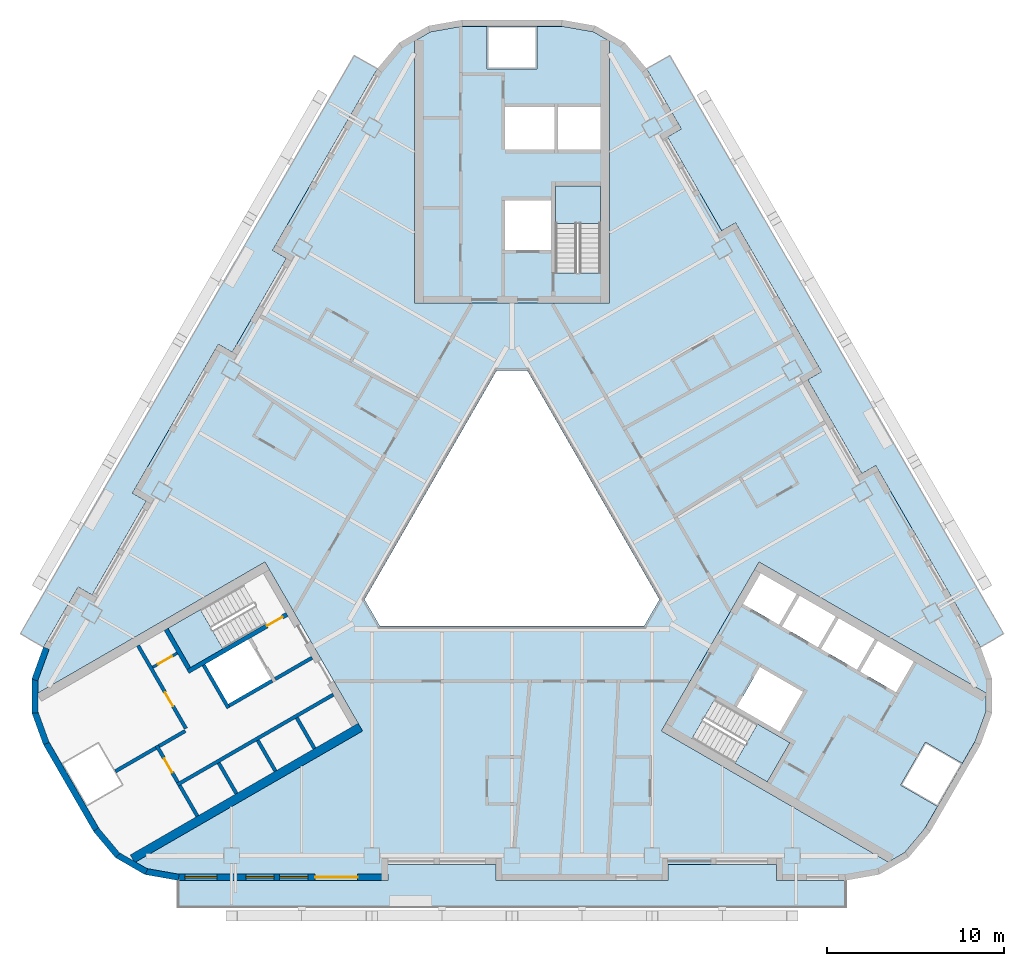
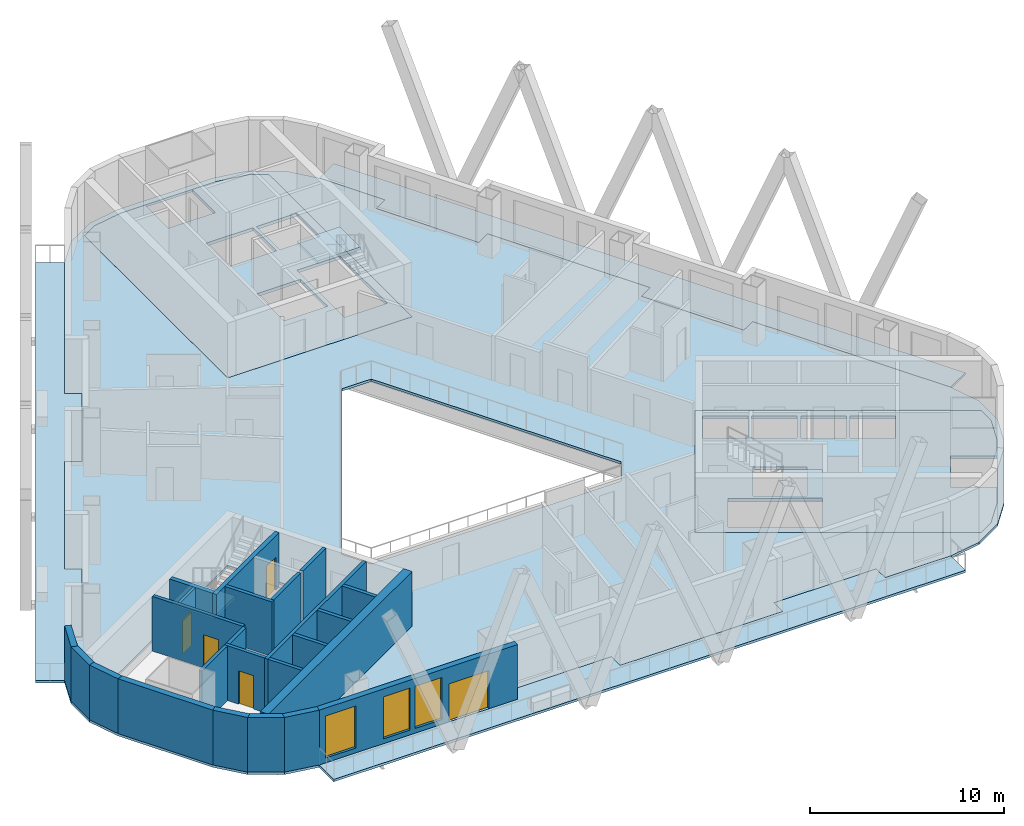
# One storey, part 2 of 13: 24 walls, 9 slabs, 5 doors, 3 windows, 8 openings, 3 elements without a shape of their own.
"""IFC4 building model written with IfcOpenShell, lengths in metres."""

from ifc_helpers import new_model, si_unit, direction, frame, frame_2d, origin, place, context, subcontext, project, spatial, polyline, rectangle, outline, extrude, material, layer, layer_set, type_object, element, fill, aggregate, save


model = new_model("IFC4")

# Units and contexts
model_context = context("Model", 3, precision=1e-05, world=origin(), true_north=direction((0.0, 1.0)))
body_context = subcontext(model_context, "Body", "Model", "MODEL_VIEW")
ifc_project = project(units=[si_unit("LENGTHUNIT", "METRE"), si_unit("AREAUNIT", "SQUARE_METRE"), si_unit("VOLUMEUNIT", "CUBIC_METRE"), si_unit("PLANEANGLEUNIT", "RADIAN"), si_unit("MASSUNIT", "GRAM", prefix="KILO")], contexts=[model_context])

# Site, building, storey
site_placement = place(None, origin())
site = spatial("IfcSite", under=ifc_project, at=site_placement, CompositionType="ELEMENT")
building_placement = place(site_placement, origin())
building = spatial("IfcBuilding", under=site, at=building_placement, Name="Apuvela Tower Hotel", CompositionType="ELEMENT")
storey_placement = place(building_placement, frame((0.0, 0.0, 127.89990234375)))
storey = spatial("IfcBuildingStorey", under=building, at=storey_placement, Name="L30", CompositionType="ELEMENT", Elevation=127.89990234375)

# Slabs
ifc_material_1 = material(Name="Concrete C50/60", Category="concrete")
ifc_layer_1 = layer(ifc_material_1, 0.199951171875)
ifc_layer_set_1 = layer_set([ifc_layer_1], Name="COR-FLOOR-200")
slab_type_1 = type_object("IfcSlabType", Name="COR-FLOOR-200", PredefinedType="FLOOR", material=ifc_layer_set_1)
slab_1_placement = place(storey_placement, frame((0.0, 0.0, -0.199951171875)))
element("IfcSlab", 1, at=slab_1_placement, inside=storey, type_object=slab_type_1, Name="Core floor N", PredefinedType="FLOOR", context=body_context, shape_type="SweptSolid", body=[
    extrude(outline(polyline([(5.5, 27.668212890625), (4.588623046875, 28.1943359375), (2.85498046875, 28.5), (1.39990234375, 28.5), (1.39990234375, 26.10009765625), (-1.39990234375, 26.10009765625), (-1.39990234375, 28.5), (-2.85498046875, 28.5), (-4.588623046875, 28.1943359375), (-5.5, 27.668212890625), (-5.5, 12.89990234375), (5.5, 12.89990234375), (5.5, 27.668212890625)]), holes=[polyline([(5.0, 14.60595703125), (2.449951171875, 14.60595703125), (2.449951171875, 19.5), (5.0, 19.5), (5.0, 14.60595703125)]), polyline([(2.199951171875, 15.89990234375), (-0.39990234375, 15.89990234375), (-0.39990234375, 18.699951171875), (2.199951171875, 18.699951171875), (2.199951171875, 15.89990234375)]), polyline([(5.0, 21.550048828125), (2.60009765625, 21.550048828125), (2.60009765625, 23.949951171875), (5.0, 23.949951171875), (5.0, 21.550048828125)]), polyline([(2.39990234375, 21.550048828125), (-0.39990234375, 21.550048828125), (-0.39990234375, 23.949951171875), (2.39990234375, 23.949951171875), (2.39990234375, 21.550048828125)])]), origin(), (0.0, 0.0, 1.0), 0.199951171875),
])
slab_2_placement = place(storey_placement, frame((0.0, 0.0, -0.199951171875)))
element("IfcSlab", 2, at=slab_2_placement, inside=storey, type_object=slab_type_1, Name="Core floor SE", PredefinedType="FLOOR", context=body_context, shape_type="SweptSolid", body=[
    extrude(outline(polyline([(21.211181640625, -18.59716796875), (22.122802734375, -18.071044921875), (23.254150390625, -16.72265625), (23.981689453125, -15.46240234375), (21.9033203125, -14.262451171875), (23.30322265625, -11.837646484375), (25.381591796875, -13.03759765625), (26.109375, -11.77734375), (26.711181640625, -10.123291015625), (26.711181640625, -9.07080078125), (13.921630859375, -1.68701171875), (8.421630859375, -11.213134765625), (21.211181640625, -18.59716796875)]), holes=[polyline([(13.01806640625, -4.052001953125), (14.01806640625, -2.31982421875), (16.044677734375, -3.489990234375), (15.044677734375, -5.221923828125), (13.01806640625, -4.052001953125)]), polyline([(17.244384765625, -6.491943359375), (15.2177734375, -5.322021484375), (16.2177734375, -3.58984375), (18.244384765625, -4.760009765625), (17.244384765625, -6.491943359375)]), polyline([(14.387451171875, -14.080078125), (10.149169921875, -11.633056640625), (11.42431640625, -9.4248046875), (15.66259765625, -11.871826171875), (14.387451171875, -14.080078125)]), polyline([(12.669921875, -9.855224609375), (13.9697265625, -7.603515625), (16.394775390625, -9.003662109375), (15.0947265625, -11.25537109375), (12.669921875, -9.855224609375)]), polyline([(19.444091796875, -7.761962890625), (17.41748046875, -6.591796875), (18.41748046875, -4.85986328125), (20.444091796875, -6.02978515625), (19.444091796875, -7.761962890625)]), polyline([(21.643798828125, -9.031982421875), (19.6171875, -7.86181640625), (20.6171875, -6.1298828125), (22.643798828125, -7.2998046875), (21.643798828125, -9.031982421875)])]), origin(), (0.0, 0.0, 1.0), 0.199951171875),
])

# Stair, slab
stair_type = type_object("IfcStairType", Name="COR-STAIR-22R", PredefinedType="HALF_TURN_STAIR", material=ifc_material_1)
stair_1_placement = place(storey_placement, origin())
stair_1 = element("IfcStair", 3, at=stair_1_placement, inside=storey, type_object=stair_type, Name="L30 Exit stair ST1", PredefinedType="HALF_TURN_STAIR")
ifc_layer_2 = layer(ifc_material_1, 0.199951171875)
ifc_layer_set_2 = layer_set([ifc_layer_2], Name="COR-LANDING-200")
slab_type_2 = type_object("IfcSlabType", Name="COR-LANDING-200", PredefinedType="LANDING", material=ifc_layer_set_2)
slab_3_placement = place(storey_placement, frame((0.0, 0.0, 1.650146484375)))
slab_3 = element("IfcSlab", 4, at=slab_3_placement, type_object=slab_type_2, Name="ST1 landing 1", PredefinedType="LANDING", context=body_context, shape_type="SweptSolid", body=[
    extrude(outline(polyline([(5.0, 17.39404296875), (5.0, 19.5), (2.449951171875, 19.5), (2.449951171875, 17.39404296875), (5.0, 17.39404296875)])), origin(), (0.0, 0.0, 1.0), 0.199951171875),
])
aggregate(stair_1, [slab_3])

stair_2_placement = place(storey_placement, origin())
stair_2 = element("IfcStair", 5, at=stair_2_placement, inside=storey, type_object=stair_type, Name="L30 Exit stair ST2", PredefinedType="HALF_TURN_STAIR")
slab_4_placement = place(storey_placement, frame((0.0, 0.0, 1.650146484375)))
slab_4 = element("IfcSlab", 6, at=slab_4_placement, type_object=slab_type_2, Name="ST2 landing 1", PredefinedType="LANDING", context=body_context, shape_type="SweptSolid", body=[
    extrude(outline(polyline([(-17.563720703125, -4.366943359375), (-19.387451171875, -5.419921875), (-18.112548828125, -7.628173828125), (-16.28857421875, -6.5751953125), (-17.563720703125, -4.366943359375)])), origin(), (0.0, 0.0, 1.0), 0.199951171875),
])
aggregate(stair_2, [slab_4])

stair_3_placement = place(storey_placement, origin())
stair_3 = element("IfcStair", 7, at=stair_3_placement, inside=storey, type_object=stair_type, Name="L30 Exit stair ST3", PredefinedType="HALF_TURN_STAIR")
slab_5_placement = place(storey_placement, frame((0.0, 0.0, 1.650146484375)))
slab_5 = element("IfcSlab", 8, at=slab_5_placement, type_object=slab_type_2, Name="ST3 landing 1", PredefinedType="LANDING", context=body_context, shape_type="SweptSolid", body=[
    extrude(outline(polyline([(12.563720703125, -13.027099609375), (14.387451171875, -14.080078125), (15.66259765625, -11.871826171875), (13.838623046875, -10.81884765625), (12.563720703125, -13.027099609375)])), origin(), (0.0, 0.0, 1.0), 0.199951171875),
])
aggregate(stair_3, [slab_5])

# Slabs
ifc_material_2 = material(Name="Concrete C40/50, fair-faced", Category="concrete")
ifc_layer_3 = layer(ifc_material_2, 0.14990234375)
ifc_layer_set_3 = layer_set([ifc_layer_3], Name="ENV-BALCONY-150")
slab_type_3 = type_object("IfcSlabType", Name="ENV-BALCONY-150", PredefinedType="FLOOR", material=ifc_layer_set_3)
slab_6_placement = place(storey_placement, frame((0.0, 0.0, -0.14990234375)))
element("IfcSlab", 9, at=slab_6_placement, inside=storey, type_object=slab_type_3, Name="Balcony slab S L30", PredefinedType="FLOOR", context=body_context, shape_type="SweptSolid", body=[
    extrude(outline(polyline([(18.82080078125, -21.135009765625), (-18.82080078125, -21.135009765625), (-18.82080078125, -19.625), (-7.0048828125, -19.625), (-7.0048828125, -18.72509765625), (-0.89501953125, -18.72509765625), (-0.89501953125, -19.625), (8.794921875, -19.625), (8.794921875, -18.72509765625), (14.905029296875, -18.72509765625), (14.905029296875, -19.625), (18.82080078125, -19.625), (18.82080078125, -21.135009765625)])), origin(), (0.0, 0.0, 1.0), 0.14990234375),
])
slab_7_placement = place(storey_placement, frame((0.0, 0.0, -0.14990234375)))
element("IfcSlab", 10, at=slab_7_placement, inside=storey, type_object=slab_type_3, Name="Balcony slab NE L30", PredefinedType="FLOOR", context=body_context, shape_type="SweptSolid", body=[
    extrude(outline(polyline([(17.443359375, 9.037353515625), (12.598388671875, 17.42919921875), (11.81884765625, 16.979248046875), (8.763916015625, 22.2705078125), (9.543212890625, 22.720703125), (7.585205078125, 26.11181640625), (8.89306640625, 26.86669921875), (27.7138671875, -5.731689453125), (26.40625, -6.48681640625), (20.498291015625, 3.74609375), (19.71875, 3.2958984375), (16.663818359375, 8.58740234375), (17.443359375, 9.037353515625)])), origin(), (0.0, 0.0, 1.0), 0.14990234375),
])
slab_8_placement = place(storey_placement, frame((0.0, 0.0, -0.14990234375)))
element("IfcSlab", 11, at=slab_8_placement, inside=storey, type_object=slab_type_3, Name="Balcony slab NW L30", PredefinedType="FLOOR", context=body_context, shape_type="SweptSolid", body=[
    extrude(outline(polyline([(-27.7138671875, -5.731689453125), (-8.89306640625, 26.86669921875), (-7.585205078125, 26.11181640625), (-13.4931640625, 15.87890625), (-12.7138671875, 15.428955078125), (-15.768798828125, 10.1376953125), (-16.548095703125, 10.587646484375), (-21.393310546875, 2.19580078125), (-20.61376953125, 1.745849609375), (-23.668701171875, -3.545654296875), (-24.4482421875, -3.095703125), (-26.40625, -6.48681640625), (-27.7138671875, -5.731689453125)])), origin(), (0.0, 0.0, 1.0), 0.14990234375),
])
ifc_material_3 = material(Name="Concrete C35/45", Category="concrete")
ifc_layer_4 = layer(ifc_material_3, 0.14990234375)
ifc_layer_set_4 = layer_set([ifc_layer_4], Name="STR-SLAB 150 floor Concrete C35/45")
slab_type_4 = type_object("IfcSlabType", Name="STR-SLAB 150 floor Concrete C35/45", PredefinedType="FLOOR", material=ifc_layer_set_4)
slab_9_placement = place(storey_placement, frame((0.0, 0.0, -0.14990234375)))
element("IfcSlab", 12, at=slab_9_placement, inside=storey, type_object=slab_type_4, Name="Floor slab S4 L30", PredefinedType="FLOOR", context=body_context, shape_type="SweptSolid", body=[
    extrude(outline(polyline([(-6.3642578125, 27.5732421875), (-4.710205078125, 28.5283203125), (-2.8291015625, 28.860107421875), (2.8291015625, 28.860107421875), (4.710205078125, 28.5283203125), (6.3642578125, 27.5732421875), (7.59228515625, 26.110107421875), (9.550048828125, 22.71875), (8.770751953125, 22.268798828125), (11.82080078125, 16.986083984375), (12.60009765625, 17.43603515625), (17.4501953125, 9.035400390625), (16.670654296875, 8.58544921875), (19.720703125, 3.302734375), (20.5, 3.752685546875), (26.407958984375, -6.47998046875), (27.061279296875, -8.27490234375), (27.061279296875, -10.18505859375), (26.407958984375, -11.97998046875), (23.5791015625, -16.8798828125), (22.351318359375, -18.34326171875), (20.697021484375, -19.29833984375), (18.81591796875, -19.6298828125), (14.89990234375, -19.6298828125), (14.89990234375, -18.72998046875), (8.800048828125, -18.72998046875), (8.800048828125, -19.6298828125), (-0.89990234375, -19.6298828125), (-0.89990234375, -18.72998046875), (-7.0, -18.72998046875), (-7.0, -19.6298828125), (-18.81591796875, -19.6298828125), (-20.697021484375, -19.29833984375), (-22.351318359375, -18.34326171875), (-23.5791015625, -16.8798828125), (-26.407958984375, -11.97998046875), (-27.061279296875, -10.18505859375), (-27.061279296875, -8.27490234375), (-26.407958984375, -6.47998046875), (-24.4501953125, -3.088623046875), (-23.670654296875, -3.538818359375), (-20.62060546875, 1.743896484375), (-21.400146484375, 2.194091796875), (-16.550048828125, 10.594482421875), (-15.7705078125, 10.14453125), (-12.720703125, 15.42724609375), (-13.5, 15.877197265625), (-7.59228515625, 26.110107421875), (-6.3642578125, 27.5732421875)]), holes=[polyline([(0.865966796875, 9.10009765625), (-0.865966796875, 9.10009765625), (-8.313720703125, -3.800048828125), (-7.44775390625, -5.300048828125), (7.44775390625, -5.300048828125), (8.313720703125, -3.800048828125), (0.865966796875, 9.10009765625)]), polyline([(-5.5, 12.89990234375), (-5.5, 27.668212890625), (-4.588623046875, 28.1943359375), (-2.85498046875, 28.5), (2.85498046875, 28.5), (4.588623046875, 28.1943359375), (5.5, 27.668212890625), (5.5, 12.89990234375), (-5.5, 12.89990234375)]), polyline([(-8.421630859375, -11.213134765625), (-21.211181640625, -18.59716796875), (-22.122802734375, -18.071044921875), (-23.254150390625, -16.72265625), (-26.109375, -11.77734375), (-26.711181640625, -10.123291015625), (-26.711181640625, -9.07080078125), (-13.921630859375, -1.68701171875), (-8.421630859375, -11.213134765625)]), polyline([(13.921630859375, -1.68701171875), (26.711181640625, -9.07080078125), (26.711181640625, -10.123291015625), (26.109375, -11.77734375), (23.254150390625, -16.72265625), (22.122802734375, -18.071044921875), (21.211181640625, -18.59716796875), (8.421630859375, -11.213134765625), (13.921630859375, -1.68701171875)])]), origin(), (0.0, 0.0, 1.0), 0.14990234375),
])

# Wall
ifc_layer_5 = layer(ifc_material_1, 0.5)
ifc_layer_set_5 = layer_set([ifc_layer_5], Name="COR-WALL-CORE-500")
wall_type_1 = type_object("IfcWallType", Name="COR-WALL-CORE-500", PredefinedType="SHEAR", material=ifc_layer_set_5)
wall_1_placement = place(storey_placement, frame((-8.546630859375, -10.99658203125, 0.0), z_axis=(0.0, 0.0, 1.0), x_axis=(-0.866025009528, -0.500000682871, 0.0)))
element("IfcWall", 13, at=wall_1_placement, inside=storey, type_object=wall_type_1, Name="Core wall SW", PredefinedType="SHEAR", context=body_context, shape_type="SweptSolid", body=[
    extrude(rectangle(XDim=14.8369140625, YDim=0.5, at=frame_2d((7.41845703125, 0.0))), origin(), (0.0, 0.0, 1.0), 3.4501953125),
])

# Wall, opening, door
ifc_material_4 = material(Name="Blockwork 150 mm plastered", Category="masonry")
ifc_layer_6 = layer(ifc_material_4, 0.14990234375)
ifc_layer_set_6 = layer_set([ifc_layer_6], Name="COR-WALL-PART-150")
wall_type_2 = type_object("IfcWallType", Name="COR-WALL-PART-150", PredefinedType="PARTITIONING", material=ifc_layer_set_6)
wall_2_placement = place(storey_placement, frame((-18.866455078125, -6.822265625, 0.0), z_axis=(0.0, 0.0, 1.0), x_axis=(-0.866028054938, -0.499995408039, 0.0)))
wall_2 = element("IfcWall", 14, at=wall_2_placement, inside=storey, type_object=wall_type_2, Name="Partition SW", PredefinedType="PARTITIONING", context=body_context, shape_type="SweptSolid", body=[
    extrude(rectangle(XDim=1.60009765625, YDim=0.14990234375, at=frame_2d((0.800048828125, 0.0))), origin(), (0.0, 0.0, 1.0), 3.4501953125),
])
opening_1_placement = place(wall_2_placement, frame((0.35009765625, 0.0, 0.0)))
opening_1 = element("IfcOpeningElement", 15, at=opening_1_placement, cuts=wall_2, Name="Opening W-RD", PredefinedType="OPENING", context=body_context, shape_type="SweptSolid", body=[
    extrude(rectangle(XDim=0.89990234375, YDim=2.10009765625, at=frame_2d((0.449951171875, 1.050048828125))), frame((0.0, 0.0849609375, 0.0), z_axis=(0.0, -1.0, 0.0), x_axis=(1.0, 0.0, 0.0)), (0.0, 0.0, 1.0), 0.169921875),
])
ifc_material_5 = material(Name="Steel access door, powder coated", Category="steel")
door_type_1 = type_object("IfcDoorType", Name="COR-RD-900", OperationType="NOTDEFINED", PredefinedType="DOOR", material=ifc_material_5)
door_1_placement = place(opening_1_placement, frame((0.89990234375, 0.0, 0.0), z_axis=(0.0, 0.0, 1.0), x_axis=(-1.0, 0.0, 0.0)))
door_1 = element("IfcDoor", 16, at=door_1_placement, inside=storey, type_object=door_type_1, Name="Riser door W-RD", OperationType="SINGLE_SWING_RIGHT", OverallHeight=2.10009765625, OverallWidth=0.89990234375, PredefinedType="DOOR", context=body_context, shape_type="SweptSolid", body=[
    extrude(rectangle(XDim=0.89990234375, YDim=2.10009765625, at=frame_2d((0.449951171875, 1.050048828125))), frame((0.0, 0.02490234375, 0.0), z_axis=(0.0, -1.0, 0.0), x_axis=(1.0, 0.0, 0.0)), (0.0, 0.0, 1.0), 0.050048828125),
])
fill(opening_1, door_1)

ifc_material_6 = material(Name="Blockwork 200 mm plastered", Category="masonry")
ifc_layer_7 = layer(ifc_material_6, 0.199951171875)
ifc_layer_set_7 = layer_set([ifc_layer_7], Name="COR-WALL-PART-200")
wall_type_3 = type_object("IfcWallType", Name="COR-WALL-PART-200", PredefinedType="PARTITIONING", material=ifc_layer_set_7)
wall_3_placement = place(storey_placement, frame((-21.076171875, -6.39501953125, 0.0), z_axis=(0.0, 0.0, 1.0), x_axis=(0.50001468107, -0.866016927499, 0.0)))
wall_3 = element("IfcWall", 17, at=wall_3_placement, inside=storey, type_object=wall_type_3, Name="Partition SW", PredefinedType="PARTITIONING", context=body_context, shape_type="SweptSolid", body=[
    extrude(rectangle(XDim=5.399658203125, YDim=0.199951171875, at=frame_2d((2.69970703125, 0.0))), origin(), (0.0, 0.0, 1.0), 3.4501953125),
])
opening_2_placement = place(wall_3_placement, frame((3.050048828125, 0.0, 0.0)))
opening_2 = element("IfcOpeningElement", 18, at=opening_2_placement, cuts=wall_3, Name="Opening W-RS1", PredefinedType="OPENING", context=body_context, shape_type="SweptSolid", body=[
    extrude(rectangle(XDim=0.89990234375, YDim=2.10009765625, at=frame_2d((0.449951171875, 1.050048828125))), frame((0.0, 0.10986328125, 0.0), z_axis=(0.0, -1.0, 0.0), x_axis=(1.0, 0.0, 0.0)), (0.0, 0.0, 1.0), 0.219970703125),
])
ifc_material_7 = material(Name="Steel fire door, powder coated", Category="steel")
door_type_2 = type_object("IfcDoorType", Name="COR-DR-900", OperationType="NOTDEFINED", PredefinedType="DOOR", material=ifc_material_7)
door_2_placement = place(opening_2_placement, frame((0.89990234375, 0.0, 0.0), z_axis=(0.0, 0.0, 1.0), x_axis=(-1.0, 0.0, 0.0)))
door_2 = element("IfcDoor", 19, at=door_2_placement, inside=storey, type_object=door_type_2, Name="Store door W-RS1", OperationType="SINGLE_SWING_LEFT", OverallHeight=2.10009765625, OverallWidth=0.89990234375, PredefinedType="DOOR", context=body_context, shape_type="SweptSolid", body=[
    extrude(rectangle(XDim=0.89990234375, YDim=2.10009765625, at=frame_2d((0.449951171875, 1.050048828125))), frame((0.0, 0.02490234375, 0.0), z_axis=(0.0, -1.0, 0.0), x_axis=(1.0, 0.0, 0.0)), (0.0, 0.0, 1.0), 0.050048828125),
])
fill(opening_2, door_2)

# Walls
ifc_layer_8 = layer(ifc_material_1, 0.199951171875)
ifc_layer_set_8 = layer_set([ifc_layer_8], Name="COR-WALL-SHAFT-200")
wall_type_4 = type_object("IfcWallType", Name="COR-WALL-SHAFT-200", PredefinedType="SHEAR", material=ifc_layer_set_8)
wall_4_placement = place(storey_placement, frame((-17.38134765625, -7.49462890625, 0.0), z_axis=(0.0, 0.0, 1.0), x_axis=(0.500011755427, -0.866018616679, 0.0)))
element("IfcWall", 20, at=wall_4_placement, inside=storey, type_object=wall_type_4, Name="Shaft wall SW", PredefinedType="SHEAR", context=body_context, shape_type="SweptSolid", body=[
    extrude(rectangle(XDim=2.80029296875, YDim=0.199951171875, at=frame_2d((1.400146484375, 0.0))), origin(), (0.0, 0.0, 1.0), 3.4501953125),
])
wall_5_placement = place(storey_placement, frame((-13.519775390625, -8.383056640625, 0.0), z_axis=(0.0, 0.0, 1.0), x_axis=(-0.866034573852, -0.49998411664, 0.0)))
element("IfcWall", 21, at=wall_5_placement, inside=storey, type_object=wall_type_4, Name="Shaft wall SW", PredefinedType="SHEAR", context=body_context, shape_type="SweptSolid", body=[
    extrude(rectangle(XDim=2.7998046875, YDim=0.199951171875, at=frame_2d((1.39990234375, 0.0))), origin(), (0.0, 0.0, 1.0), 3.4501953125),
])
wall_6_placement = place(storey_placement, frame((-11.26806640625, -7.0830078125, 0.0), z_axis=(0.0, 0.0, 1.0), x_axis=(-0.866050077142, -0.499957262057, 0.0)))
element("IfcWall", 22, at=wall_6_placement, inside=storey, type_object=wall_type_4, Name="Shaft wall SW", PredefinedType="SHEAR", context=body_context, shape_type="SweptSolid", body=[
    extrude(rectangle(XDim=2.400146484375, YDim=0.199951171875, at=frame_2d((1.2001953125, 0.0))), origin(), (0.0, 0.0, 1.0), 3.4501953125),
])
wall_7_placement = place(storey_placement, frame((-10.068115234375, -9.16162109375, 0.0), z_axis=(0.0, 0.0, 1.0), x_axis=(-0.866032725843, -0.499987317609, 0.0)))
element("IfcWall", 23, at=wall_7_placement, inside=storey, type_object=wall_type_4, Name="Shaft wall SW", PredefinedType="SHEAR", context=body_context, shape_type="SweptSolid", body=[
    extrude(rectangle(XDim=10.159912109375, YDim=0.199951171875, at=frame_2d((5.080078125, 0.0))), origin(), (0.0, 0.0, 1.0), 3.4501953125),
])

# Wall, opening, door
wall_8_placement = place(storey_placement, frame((-20.030517578125, -12.0263671875, 0.0), z_axis=(0.0, 0.0, 1.0), x_axis=(0.500033551112, -0.866006032174, 0.0)))
wall_8 = element("IfcWall", 24, at=wall_8_placement, inside=storey, type_object=wall_type_4, Name="Shaft wall SW", PredefinedType="SHEAR", context=body_context, shape_type="SweptSolid", body=[
    extrude(rectangle(XDim=2.400146484375, YDim=0.199951171875, at=frame_2d((1.2001953125, 0.0))), origin(), (0.0, 0.0, 1.0), 3.4501953125),
])
opening_3_placement = place(wall_8_placement, frame((0.85009765625, 0.0, 0.0)))
opening_3 = element("IfcOpeningElement", 25, at=opening_3_placement, cuts=wall_8, Name="Opening W-REP", PredefinedType="OPENING", context=body_context, shape_type="SweptSolid", body=[
    extrude(rectangle(XDim=0.89990234375, YDim=2.10009765625, at=frame_2d((0.449951171875, 1.050048828125))), frame((0.0, 0.10986328125, 0.0), z_axis=(0.0, -1.0, 0.0), x_axis=(1.0, 0.0, 0.0)), (0.0, 0.0, 1.0), 0.219970703125),
])
door_3_placement = place(opening_3_placement, frame((0.89990234375, 0.0, 0.0), z_axis=(0.0, 0.0, 1.0), x_axis=(-1.0, 0.0, 0.0)))
door_3 = element("IfcDoor", 26, at=door_3_placement, inside=storey, type_object=door_type_2, Name="Store door W-REP", OperationType="SINGLE_SWING_LEFT", OverallHeight=2.10009765625, OverallWidth=0.89990234375, PredefinedType="DOOR", context=body_context, shape_type="SweptSolid", body=[
    extrude(rectangle(XDim=0.89990234375, YDim=2.10009765625, at=frame_2d((0.449951171875, 1.050048828125))), frame((0.0, 0.02490234375, 0.0), z_axis=(0.0, -1.0, 0.0), x_axis=(1.0, 0.0, 0.0)), (0.0, 0.0, 1.0), 0.050048828125),
])
fill(opening_3, door_3)

# Walls
wall_9_placement = place(storey_placement, frame((-18.412841796875, -11.2080078125, 0.0), z_axis=(0.0, 0.0, 1.0), x_axis=(-0.866038183914, -0.499977863513, 0.0)))
element("IfcWall", 27, at=wall_9_placement, inside=storey, type_object=wall_type_4, Name="Shaft wall SW", PredefinedType="SHEAR", context=body_context, shape_type="SweptSolid", body=[
    extrude(rectangle(XDim=1.7099609375, YDim=0.199951171875, at=frame_2d((0.85498046875, 0.0))), origin(), (0.0, 0.0, 1.0), 3.4501953125),
])
for number, where, z_axis, x_axis, name in (
    (28, (-12.131103515625, -10.468017578125, 0.0), (0.0, 0.0, 1.0), (0.499972520799, -0.866041268327, 0.0), "Shaft wall SW"),
    (29, (-14.330810546875, -11.738037109375, 0.0), (0.0, 0.0, 1.0), (0.499972520799, -0.866041268327, 0.0), "Shaft wall SW"),
    (30, (-16.530517578125, -13.008056640625, 0.0), (0.0, 0.0, 1.0), (0.50002537861, -0.866010750942, 0.0), "Shaft wall SW"),
    (31, (-18.73046875, -14.278076171875, 0.0), (0.0, 0.0, 1.0), (0.50002537861, -0.866010750942, 0.0), "Shaft wall SW"),
):
    element("IfcWall", number, at=place(storey_placement, frame(where, z_axis=z_axis, x_axis=x_axis)), inside=storey, type_object=wall_type_4, Name=name, PredefinedType="SHEAR", context=body_context, shape_type="SweptSolid", body=[
        extrude(rectangle(XDim=2.0, YDim=0.199951171875, at=frame_2d((1.0, 0.0))), origin(), (0.0, 0.0, 1.0), 3.4501953125),
    ])
wall_10_placement = place(storey_placement, frame((-20.06689453125, -12.1630859375, 0.0), z_axis=(0.0, 0.0, 1.0), x_axis=(-0.866060851709, -0.499938597367, 0.0)))
element("IfcWall", 32, at=wall_10_placement, inside=storey, type_object=wall_type_4, Name="Shaft wall SW", PredefinedType="SHEAR", context=body_context, shape_type="SweptSolid", body=[
    extrude(rectangle(XDim=2.639892578125, YDim=0.199951171875, at=frame_2d((1.31982421875, 0.0))), origin(), (0.0, 0.0, 1.0), 3.4501953125),
])

# Wall, opening, door
ifc_layer_9 = layer(ifc_material_1, 0.25)
ifc_layer_set_9 = layer_set([ifc_layer_9], Name="COR-WALL-STAIR-250")
wall_type_5 = type_object("IfcWallType", Name="COR-WALL-STAIR-250", PredefinedType="SHEAR", material=ifc_layer_set_9)
wall_11_placement = place(storey_placement, frame((-12.6806640625, -4.636474609375, 0.0), z_axis=(0.0, 0.0, 1.0), x_axis=(-0.866021702275, -0.500006411147, 0.0)))
wall_11 = element("IfcWall", 33, at=wall_11_placement, inside=storey, type_object=wall_type_5, Name="Stair wall SW", PredefinedType="SHEAR", context=body_context, shape_type="SweptSolid", body=[
    extrude(rectangle(XDim=6.4501953125, YDim=0.25, at=frame_2d((3.22509765625, 0.0))), origin(), (0.0, 0.0, 1.0), 3.4501953125),
])
opening_4_placement = place(wall_11_placement, frame((0.300048828125, 0.0, 0.0)))
opening_4 = element("IfcOpeningElement", 34, at=opening_4_placement, cuts=wall_11, Name="Opening W-SD", PredefinedType="OPENING", context=body_context, shape_type="SweptSolid", body=[
    extrude(rectangle(XDim=1.0, YDim=2.10009765625, at=frame_2d((0.5, 1.050048828125))), frame((0.0, 0.135009765625, 0.0), z_axis=(0.0, -1.0, 0.0), x_axis=(1.0, 0.0, 0.0)), (0.0, 0.0, 1.0), 0.27001953125),
])
door_type_3 = type_object("IfcDoorType", Name="COR-SD-1000", OperationType="NOTDEFINED", PredefinedType="DOOR", material=ifc_material_7)
door_4_placement = place(opening_4_placement, frame((1.0, 0.0, 0.0), z_axis=(0.0, 0.0, 1.0), x_axis=(-1.0, 0.0, 0.0)))
door_4 = element("IfcDoor", 35, at=door_4_placement, inside=storey, type_object=door_type_3, Name="Stair door W-SD", OperationType="SINGLE_SWING_LEFT", OverallHeight=2.10009765625, OverallWidth=1.0, PredefinedType="DOOR", context=body_context, shape_type="SweptSolid", body=[
    extrude(rectangle(XDim=1.0, YDim=2.10009765625, at=frame_2d((0.5, 1.050048828125))), frame((0.0, 0.02490234375, 0.0), z_axis=(0.0, -1.0, 0.0), x_axis=(1.0, 0.0, 0.0)), (0.0, 0.0, 1.0), 0.050048828125),
])
fill(opening_4, door_4)

# Walls
wall_12_placement = place(storey_placement, frame((-19.49560546875, -5.482421875, 0.0), z_axis=(0.0, 0.0, 1.0), x_axis=(0.499990435942, -0.866030925526, 0.0)))
element("IfcWall", 36, at=wall_12_placement, inside=storey, type_object=wall_type_5, Name="Stair wall SW", PredefinedType="SHEAR", context=body_context, shape_type="SweptSolid", body=[
    extrude(rectangle(XDim=2.5498046875, YDim=0.25, at=frame_2d((1.27490234375, 0.0))), origin(), (0.0, 0.0, 1.0), 3.4501953125),
])
ifc_material_8 = material(Name="Concrete C40/50, dark pigmented precast panel", Category="concrete")
ifc_layer_10 = layer(ifc_material_8, 0.35009765625)
ifc_layer_set_10 = layer_set([ifc_layer_10], Name="ENV-WALL-350")
wall_type_6 = type_object("IfcWallType", Name="ENV-WALL-350", PredefinedType="SOLIDWALL", material=ifc_layer_set_10)
for number, where, z_axis, x_axis, name in (
    (37, (-26.24365234375, -6.539794921875, 0.0), (0.0, 0.0, 1.0), (-0.342030395486, -0.939688889242, 0.0), "External wall L30-10"),
    (38, (-26.88623046875, -8.27490234375, 0.0), (0.0, 0.0, 1.0), (0.0, -1.0, 0.0), "External wall L30-11"),
    (39, (-26.89697265625, -10.125244140625, 0.0), (0.0, 0.0, 1.0), (0.342030395486, -0.939688889242, 0.0), "External wall L30-12"),
):
    element("IfcWall", number, at=place(storey_placement, frame(where, z_axis=z_axis, x_axis=x_axis)), inside=storey, type_object=wall_type_6, Name=name, PredefinedType="SOLIDWALL", context=body_context, shape_type="SweptSolid", body=[
        extrude(rectangle(XDim=1.91015625, YDim=0.35009765625, at=frame_2d((0.955078125, 0.0))), origin(), (0.0, 0.0, 1.0), 3.4501953125),
    ])
wall_13_placement = place(storey_placement, frame((-26.256591796875, -11.892578125, 0.0), z_axis=(0.0, 0.0, 1.0), x_axis=(0.500018773155, -0.866014564827, 0.0)))
element("IfcWall", 40, at=wall_13_placement, inside=storey, type_object=wall_type_6, Name="External wall L30-13", PredefinedType="SOLIDWALL", context=body_context, shape_type="SweptSolid", body=[
    extrude(rectangle(XDim=5.657958984375, YDim=0.35009765625, at=frame_2d((2.8291015625, 0.0))), origin(), (0.0, 0.0, 1.0), 3.4501953125),
])
for number, where, z_axis, x_axis, name in (
    (41, (-23.44482421875, -16.767578125, 0.0), (0.0, 0.0, 1.0), (0.642733291068, -0.76609001857, 0.0), "External wall L30-14"),
    (42, (-22.263671875, -18.191650390625, 0.0), (0.0, 0.0, 1.0), (0.866000389056, -0.500043324278, 0.0), "External wall L30-15"),
):
    element("IfcWall", number, at=place(storey_placement, frame(where, z_axis=z_axis, x_axis=x_axis)), inside=storey, type_object=wall_type_6, Name=name, PredefinedType="SOLIDWALL", context=body_context, shape_type="SweptSolid", body=[
        extrude(rectangle(XDim=1.909912109375, YDim=0.35009765625, at=frame_2d((0.955078125, 0.0))), origin(), (0.0, 0.0, 1.0), 3.4501953125),
    ])
wall_14_placement = place(storey_placement, frame((-20.66650390625, -19.1259765625, 0.0), z_axis=(0.0, 0.0, 1.0), x_axis=(0.984798995425, -0.173697837091, 0.0)))
element("IfcWall", 43, at=wall_14_placement, inside=storey, type_object=wall_type_6, Name="External wall L30-16", PredefinedType="SOLIDWALL", context=body_context, shape_type="SweptSolid", body=[
    extrude(rectangle(XDim=1.91015625, YDim=0.35009765625, at=frame_2d((0.955078125, 0.0))), origin(), (0.0, 0.0, 1.0), 3.4501953125),
])

# Wall, openings, door, windows
wall_15_placement = place(storey_placement, frame((-18.81591796875, -19.455078125, 0.0), z_axis=(0.0, 0.0, 1.0), x_axis=(1.0, 0.0, 0.0)))
wall_15 = element("IfcWall", 44, at=wall_15_placement, inside=storey, type_object=wall_type_6, Name="External wall L30-17", PredefinedType="SOLIDWALL", context=body_context, shape_type="SweptSolid", body=[
    extrude(rectangle(XDim=11.81591796875, YDim=0.35009765625, at=frame_2d((5.907958984375, 0.0))), origin(), (0.0, 0.0, 1.0), 3.4501953125),
])
opening_5_placement = place(wall_15_placement, frame((0.380615234375, 0.0, 0.300048828125)))
opening_5 = element("IfcOpeningElement", 45, at=opening_5_placement, cuts=wall_15, Name="Opening WN18", PredefinedType="OPENING", context=body_context, shape_type="SweptSolid", body=[
    extrude(rectangle(XDim=1.800048828125, YDim=2.64990234375, at=frame_2d((0.89990234375, 1.324951171875))), frame((0.0, 0.18505859375, 0.0), z_axis=(0.0, -1.0, 0.0), x_axis=(1.0, 0.0, 0.0)), (0.0, 0.0, 1.0), 0.3701171875),
])
opening_6_placement = place(wall_15_placement, frame((7.71630859375, 0.0, 0.0)))
opening_6 = element("IfcOpeningElement", 46, at=opening_6_placement, cuts=wall_15, Name="Opening BD24", PredefinedType="OPENING", context=body_context, shape_type="SweptSolid", body=[
    extrude(rectangle(XDim=2.39990234375, YDim=2.39990234375, at=frame_2d((1.199951171875, 1.199951171875))), frame((0.0, 0.18505859375, 0.0), z_axis=(0.0, -1.0, 0.0), x_axis=(1.0, 0.0, 0.0)), (0.0, 0.0, 1.0), 0.3701171875),
])
opening_7_placement = place(wall_15_placement, frame((3.816162109375, 0.0, 0.300048828125)))
opening_7 = element("IfcOpeningElement", 47, at=opening_7_placement, cuts=wall_15, Name="Opening WN16", PredefinedType="OPENING", context=body_context, shape_type="SweptSolid", body=[
    extrude(rectangle(XDim=1.60009765625, YDim=2.64990234375, at=frame_2d((0.800048828125, 1.324951171875))), frame((0.0, 0.18505859375, 0.0), z_axis=(0.0, -1.0, 0.0), x_axis=(1.0, 0.0, 0.0)), (0.0, 0.0, 1.0), 0.3701171875),
])
opening_8_placement = place(wall_15_placement, frame((5.71630859375, 0.0, 0.300048828125)))
opening_8 = element("IfcOpeningElement", 48, at=opening_8_placement, cuts=wall_15, Name="Opening WN16", PredefinedType="OPENING", context=body_context, shape_type="SweptSolid", body=[
    extrude(rectangle(XDim=1.60009765625, YDim=2.64990234375, at=frame_2d((0.800048828125, 1.324951171875))), frame((0.0, 0.18505859375, 0.0), z_axis=(0.0, -1.0, 0.0), x_axis=(1.0, 0.0, 0.0)), (0.0, 0.0, 1.0), 0.3701171875),
])
ifc_material_9 = material(Name="Aluminium 6063-T6, dark bronze anodised frame with dark tinted laminated glass", Category="aluminium")
door_type_4 = type_object("IfcDoorType", Name="ENV-DOOR-BALCONY-2400x2400", OperationType="SLIDING_TO_LEFT", PredefinedType="DOOR", material=ifc_material_9)
door_5_placement = place(opening_6_placement, frame((2.39990234375, 0.0, 0.0), z_axis=(0.0, 0.0, 1.0), x_axis=(-1.0, 0.0, 0.0)))
door_5 = element("IfcDoor", 49, at=door_5_placement, inside=storey, type_object=door_type_4, Name="Balcony door BD24", OperationType="SLIDING_TO_LEFT", OverallHeight=2.39990234375, OverallWidth=2.39990234375, PredefinedType="DOOR", context=body_context, shape_type="SweptSolid", body=[
    extrude(rectangle(XDim=2.39990234375, YDim=2.39990234375, at=frame_2d((1.199951171875, 1.199951171875))), frame((0.0, 0.02490234375, 0.0), z_axis=(0.0, -1.0, 0.0), x_axis=(1.0, 0.0, 0.0)), (0.0, 0.0, 1.0), 0.050048828125),
])
fill(opening_6, door_5)
ifc_material_10 = material(Name="Glass, dark tinted laminated insulated glazing unit", Category="glass")
window_type_1 = type_object("IfcWindowType", Name="ENV-WIN-1600x2650", PartitioningType="SINGLE_PANEL", PredefinedType="WINDOW", material=ifc_material_10)
window_1_placement = place(opening_7_placement, origin())
window_1 = element("IfcWindow", 50, at=window_1_placement, inside=storey, type_object=window_type_1, Name="Window WN16", OverallHeight=2.64990234375, OverallWidth=1.60009765625, PartitioningType="SINGLE_PANEL", PredefinedType="WINDOW", context=body_context, shape_type="SweptSolid", body=[
    extrude(rectangle(XDim=1.60009765625, YDim=2.64990234375, at=frame_2d((0.800048828125, 1.324951171875))), frame((0.0, 0.030029296875, 0.0), z_axis=(0.0, -1.0, 0.0), x_axis=(1.0, 0.0, 0.0)), (0.0, 0.0, 1.0), 0.06005859375),
])
fill(opening_7, window_1)
window_2_placement = place(opening_8_placement, origin())
window_2 = element("IfcWindow", 51, at=window_2_placement, inside=storey, type_object=window_type_1, Name="Window WN16", OverallHeight=2.64990234375, OverallWidth=1.60009765625, PartitioningType="SINGLE_PANEL", PredefinedType="WINDOW", context=body_context, shape_type="SweptSolid", body=[
    extrude(rectangle(XDim=1.60009765625, YDim=2.64990234375, at=frame_2d((0.800048828125, 1.324951171875))), frame((0.0, 0.030029296875, 0.0), z_axis=(0.0, -1.0, 0.0), x_axis=(1.0, 0.0, 0.0)), (0.0, 0.0, 1.0), 0.06005859375),
])
fill(opening_8, window_2)
window_type_2 = type_object("IfcWindowType", Name="ENV-WIN-1800x2650", PartitioningType="SINGLE_PANEL", PredefinedType="WINDOW", material=ifc_material_10)
window_3_placement = place(opening_5_placement, origin())
window_3 = element("IfcWindow", 52, at=window_3_placement, inside=storey, type_object=window_type_2, Name="Window WN18", OverallHeight=2.64990234375, OverallWidth=1.800048828125, PartitioningType="SINGLE_PANEL", PredefinedType="WINDOW", context=body_context, shape_type="SweptSolid", body=[
    extrude(rectangle(XDim=1.800048828125, YDim=2.64990234375, at=frame_2d((0.89990234375, 1.324951171875))), frame((0.0, 0.030029296875, 0.0), z_axis=(0.0, -1.0, 0.0), x_axis=(1.0, 0.0, 0.0)), (0.0, 0.0, 1.0), 0.06005859375),
])
fill(opening_5, window_3)

save(model, "model.ifc")
